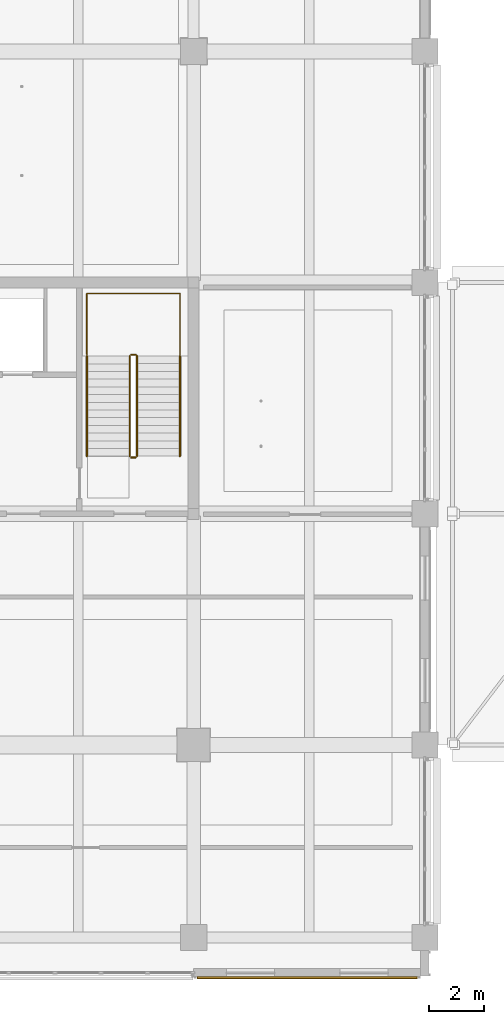
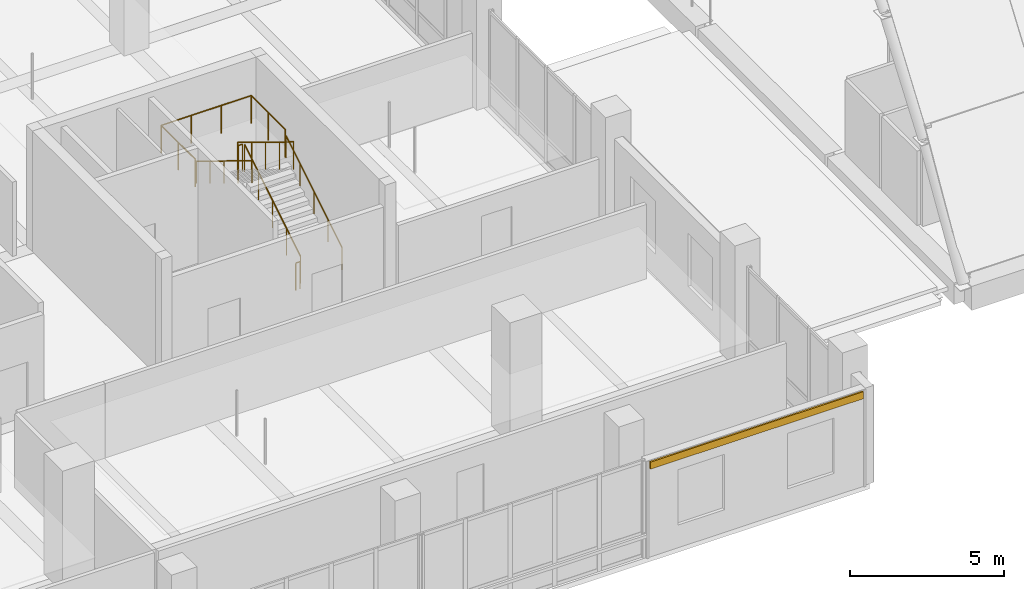
# One storey, part 109 of 128: 7 railings, 1 covering.
"""IFC4 building model written with IfcOpenShell, lengths in metres."""

from ifc_helpers import new_model, si_unit, direction, frame, origin, origin_2d, place, context, subcontext, project, spatial, rectangle, circle, extrude, material, layer, layer_set, type_object, element, save


model = new_model("IFC4")

# Units and contexts
model_context = context("Model", 3, precision=1e-05, world=origin(), true_north=direction((0.0, 1.0)))
body_context = subcontext(model_context, "Body", "Model", "MODEL_VIEW")
ifc_project = project(units=[si_unit("LENGTHUNIT", "METRE"), si_unit("AREAUNIT", "SQUARE_METRE"), si_unit("VOLUMEUNIT", "CUBIC_METRE"), si_unit("PLANEANGLEUNIT", "RADIAN"), si_unit("MASSUNIT", "GRAM", prefix="KILO")], contexts=[model_context])

# Site, building, storey
site_placement = place(None, origin())
site = spatial("IfcSite", under=ifc_project, at=site_placement, CompositionType="ELEMENT")
building_placement = place(site_placement, origin())
building = spatial("IfcBuilding", under=site, at=building_placement, Name="Telukmera Botanical Conservatory", CompositionType="ELEMENT")
storey_placement = place(building_placement, frame((0.0, 0.0, 5.39990234375)))
storey = spatial("IfcBuildingStorey", under=building, at=storey_placement, Name="L01", CompositionType="ELEMENT", Elevation=5.39990234375)

# Covering
ifc_material_1 = material(Name="Terracotta-faced precast concrete C40/50", Category="masonry")
ifc_layer = layer(ifc_material_1, 0.06005859375)
ifc_layer_set = layer_set([ifc_layer], Name="Terracotta-faced precast concrete C40/50")
covering_type = type_object("IfcCoveringType", Name="Polychrome Terracotta Facade Band Cladding", PredefinedType="CLADDING", material=ifc_layer_set)
covering_placement = place(storey_placement, frame((104.925048828125, 9.139892578125, 3.5302734375), z_axis=(0.0, 0.0, 1.0), x_axis=(1.0, 0.0, 0.0)))
element("IfcCovering", 1, at=covering_placement, inside=storey, type_object=covering_type, Name="Polychrome Terracotta Band V4:L01:S7", PredefinedType="CLADDING", context=body_context, shape_type="SweptSolid", body=[
    extrude(rectangle(XDim=8.006103515625, YDim=0.06005859375, at=origin_2d()), origin(), (0.0, 0.0, 1.0), 0.280029296875),
])

# Railings
ifc_material_2 = material(Name="Steel S355", Category="steel")
railing_type_1 = type_object("IfcRailingType", Name="RL-GUARD-1100", PredefinedType="GUARDRAIL", material=ifc_material_2)
railing_1_placement = place(storey_placement, frame((98.739990234375, 28.090087890625, 0.171630859375)))
element("IfcRailing", 2, at=railing_1_placement, inside=storey, type_object=railing_type_1, Name="L01 ST2 stair guard 1", PredefinedType="GUARDRAIL", context=body_context, shape_type="SweptSolid", body=[
    extrude(circle(Radius=0.02392578125, at=origin_2d()), frame((0.0, 0.0, 1.076171875), z_axis=(0.0, 0.852850264322, 0.5221555579), x_axis=(-1.0, 0.0, 0.0)), (0.0, 0.0, 1.0), 4.267822265625),
    extrude(circle(Radius=0.02099609375, at=origin_2d()), origin(), (0.0, 0.0, 1.0), 1.052001953125),
    extrude(circle(Radius=0.02099609375, at=origin_2d()), frame((0.0, 0.909912109375, 0.55712890625)), (0.0, 0.0, 1.0), 1.052001953125),
    extrude(circle(Radius=0.02099609375, at=origin_2d()), frame((0.0, 1.81982421875, 1.1142578125)), (0.0, 0.0, 1.0), 1.052001953125),
    extrude(circle(Radius=0.02099609375, at=origin_2d()), frame((0.0, 2.72998046875, 1.67138671875)), (0.0, 0.0, 1.0), 1.052001953125),
    extrude(circle(Radius=0.02099609375, at=origin_2d()), frame((0.0, 3.639892578125, 2.228515625)), (0.0, 0.0, 1.0), 1.052001953125),
])
railing_2_placement = place(storey_placement, frame((98.68994140625, 31.780029296875, 2.400146484375)))
element("IfcRailing", 3, at=railing_2_placement, inside=storey, type_object=railing_type_1, Name="L01 ST2 stair guard 2", PredefinedType="GUARDRAIL", context=body_context, shape_type="SweptSolid", body=[
    extrude(circle(Radius=0.02392578125, at=origin_2d()), frame((0.0, 0.0, 1.076171875), z_axis=(-1.0, 0.0, 0.0), x_axis=(0.0, -1.0, 0.0)), (0.0, 0.0, 1.0), 0.159912109375),
    extrude(circle(Radius=0.02099609375, at=origin_2d()), origin(), (0.0, 0.0, 1.0), 1.052001953125),
    extrude(circle(Radius=0.02099609375, at=origin_2d()), frame((-0.159912109375, 0.0, 0.0)), (0.0, 0.0, 1.0), 1.052001953125),
])
railing_3_placement = place(storey_placement, frame((98.47998046875, 31.72998046875, 2.571533203125)))
element("IfcRailing", 4, at=railing_3_placement, inside=storey, type_object=railing_type_1, Name="L01 ST2 stair guard 3", PredefinedType="GUARDRAIL", context=body_context, shape_type="SweptSolid", body=[
    extrude(circle(Radius=0.02392578125, at=origin_2d()), frame((0.0, 0.0, 1.076171875), z_axis=(0.0, -0.852850264322, 0.5221555579), x_axis=(1.0, 0.0, 0.0)), (0.0, 0.0, 1.0), 4.267822265625),
    extrude(circle(Radius=0.02099609375, at=origin_2d()), origin(), (0.0, 0.0, 1.0), 1.052001953125),
    extrude(circle(Radius=0.02099609375, at=origin_2d()), frame((0.0, -0.909912109375, 0.55712890625)), (0.0, 0.0, 1.0), 1.052001953125),
    extrude(circle(Radius=0.02099609375, at=origin_2d()), frame((0.0, -1.81982421875, 1.1142578125)), (0.0, 0.0, 1.0), 1.052001953125),
    extrude(circle(Radius=0.02099609375, at=origin_2d()), frame((0.0, -2.72998046875, 1.67138671875)), (0.0, 0.0, 1.0), 1.052001953125),
    extrude(circle(Radius=0.02099609375, at=origin_2d()), frame((0.0, -3.639892578125, 2.228515625)), (0.0, 0.0, 1.0), 1.052001953125),
])
railing_4_placement = place(storey_placement, frame((98.68994140625, 28.0400390625, 0.0)))
element("IfcRailing", 5, at=railing_4_placement, inside=storey, type_object=railing_type_1, Name="L01 ST2 stair guard 4", PredefinedType="GUARDRAIL", context=body_context, shape_type="SweptSolid", body=[
    extrude(circle(Radius=0.02392578125, at=origin_2d()), frame((0.0, 0.0, 1.076171875), z_axis=(-1.0, 0.0, 0.0), x_axis=(0.0, -1.0, 0.0)), (0.0, 0.0, 1.0), 0.159912109375),
    extrude(circle(Radius=0.02099609375, at=origin_2d()), origin(), (0.0, 0.0, 1.0), 1.052001953125),
    extrude(circle(Radius=0.02099609375, at=origin_2d()), frame((-0.159912109375, 0.0, 0.0)), (0.0, 0.0, 1.0), 1.052001953125),
])
railing_5_placement = place(storey_placement, frame((100.300048828125, 31.780029296875, 2.400146484375)))
element("IfcRailing", 6, at=railing_5_placement, inside=storey, type_object=railing_type_1, Name="L01 ST2 half-landing perimeter guard 1", PredefinedType="GUARDRAIL", context=body_context, shape_type="SweptSolid", body=[
    extrude(circle(Radius=0.02392578125, at=origin_2d()), frame((0.0, 0.0, 1.09619140625), z_axis=(0.0, 1.0, 0.0), x_axis=(-1.0, 0.0, 0.0)), (0.0, 0.0, 1.0), 2.219970703125),
    extrude(circle(Radius=0.02392578125, at=origin_2d()), frame((0.0, 2.219970703125, 1.09619140625), z_axis=(-1.0, 0.0, 0.0), x_axis=(0.0, -1.0, 0.0)), (0.0, 0.0, 1.0), 3.380126953125),
    extrude(circle(Radius=0.02392578125, at=origin_2d()), frame((-3.380126953125, 2.219970703125, 1.09619140625), z_axis=(0.0, -1.0, 0.0), x_axis=(1.0, 0.0, 0.0)), (0.0, 0.0, 1.0), 2.219970703125),
    extrude(circle(Radius=0.02099609375, at=origin_2d()), origin(), (0.0, 0.0, 1.0), 1.072021484375),
    extrude(circle(Radius=0.02099609375, at=origin_2d()), frame((0.0, 1.10986328125, 0.0)), (0.0, 0.0, 1.0), 1.072021484375),
    extrude(circle(Radius=0.02099609375, at=origin_2d()), frame((0.0, 2.219970703125, 0.0)), (0.0, 0.0, 1.0), 1.072021484375),
    extrude(circle(Radius=0.02099609375, at=origin_2d()), frame((-1.126708984375, 2.219970703125, 0.0)), (0.0, 0.0, 1.0), 1.072021484375),
    extrude(circle(Radius=0.02099609375, at=origin_2d()), frame((-2.25341796875, 2.219970703125, 0.0)), (0.0, 0.0, 1.0), 1.072021484375),
    extrude(circle(Radius=0.02099609375, at=origin_2d()), frame((-3.380126953125, 2.219970703125, 0.0)), (0.0, 0.0, 1.0), 1.072021484375),
    extrude(circle(Radius=0.02099609375, at=origin_2d()), frame((-3.380126953125, 1.10986328125, 0.0)), (0.0, 0.0, 1.0), 1.072021484375),
    extrude(circle(Radius=0.02099609375, at=origin_2d()), frame((-3.380126953125, 0.0, 0.0)), (0.0, 0.0, 1.0), 1.072021484375),
])
ifc_material_3 = material(Name="Stainless steel 316", Category="steel")
railing_type_2 = type_object("IfcRailingType", Name="RL-HAND-900", PredefinedType="HANDRAIL", material=ifc_material_3)
railing_6_placement = place(storey_placement, frame((100.300048828125, 28.090087890625, 0.171630859375)))
element("IfcRailing", 7, at=railing_6_placement, inside=storey, type_object=railing_type_2, Name="L01 ST2 stair handrail 1", PredefinedType="HANDRAIL", context=body_context, shape_type="SweptSolid", body=[
    extrude(circle(Radius=0.02392578125, at=origin_2d()), frame((0.0, 0.0, 0.8759765625), z_axis=(0.0, 0.852850264322, 0.5221555579), x_axis=(-1.0, 0.0, 0.0)), (0.0, 0.0, 1.0), 4.267822265625),
    extrude(circle(Radius=0.02099609375, at=origin_2d()), origin(), (0.0, 0.0, 1.0), 0.851806640625),
    extrude(circle(Radius=0.02099609375, at=origin_2d()), frame((0.0, 0.909912109375, 0.55712890625)), (0.0, 0.0, 1.0), 0.851806640625),
    extrude(circle(Radius=0.02099609375, at=origin_2d()), frame((0.0, 1.81982421875, 1.1142578125)), (0.0, 0.0, 1.0), 0.851806640625),
    extrude(circle(Radius=0.02099609375, at=origin_2d()), frame((0.0, 2.72998046875, 1.67138671875)), (0.0, 0.0, 1.0), 0.851806640625),
    extrude(circle(Radius=0.02099609375, at=origin_2d()), frame((0.0, 3.639892578125, 2.228515625)), (0.0, 0.0, 1.0), 0.851806640625),
])
railing_7_placement = place(storey_placement, frame((96.919921875, 31.72998046875, 2.571533203125)))
element("IfcRailing", 8, at=railing_7_placement, inside=storey, type_object=railing_type_2, Name="L01 ST2 stair handrail 2", PredefinedType="HANDRAIL", context=body_context, shape_type="SweptSolid", body=[
    extrude(circle(Radius=0.02392578125, at=origin_2d()), frame((0.0, 0.0, 0.8759765625), z_axis=(0.0, -0.852850264322, 0.5221555579), x_axis=(1.0, 0.0, 0.0)), (0.0, 0.0, 1.0), 4.267822265625),
    extrude(circle(Radius=0.02099609375, at=origin_2d()), origin(), (0.0, 0.0, 1.0), 0.851806640625),
    extrude(circle(Radius=0.02099609375, at=origin_2d()), frame((0.0, -0.909912109375, 0.55712890625)), (0.0, 0.0, 1.0), 0.851806640625),
    extrude(circle(Radius=0.02099609375, at=origin_2d()), frame((0.0, -1.81982421875, 1.1142578125)), (0.0, 0.0, 1.0), 0.851806640625),
    extrude(circle(Radius=0.02099609375, at=origin_2d()), frame((0.0, -2.72998046875, 1.67138671875)), (0.0, 0.0, 1.0), 0.851806640625),
    extrude(circle(Radius=0.02099609375, at=origin_2d()), frame((0.0, -3.639892578125, 2.228515625)), (0.0, 0.0, 1.0), 0.851806640625),
])

save(model, "model.ifc")
